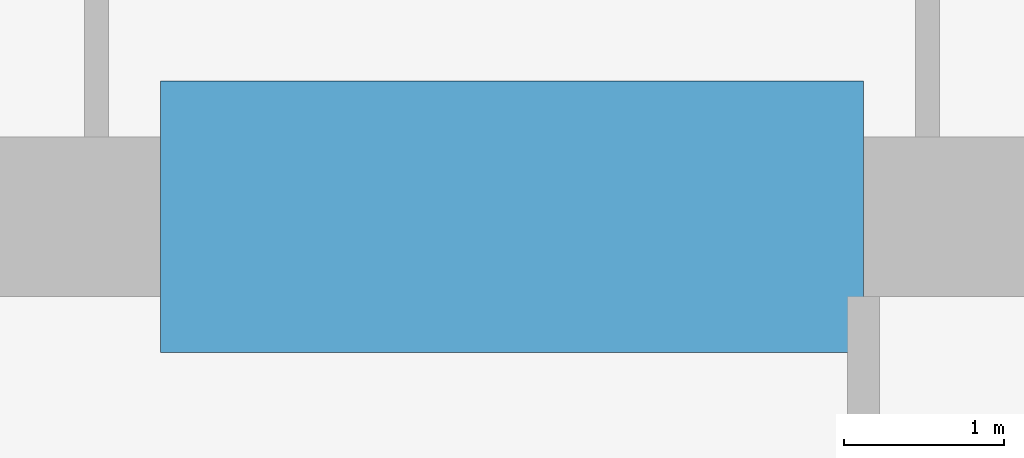
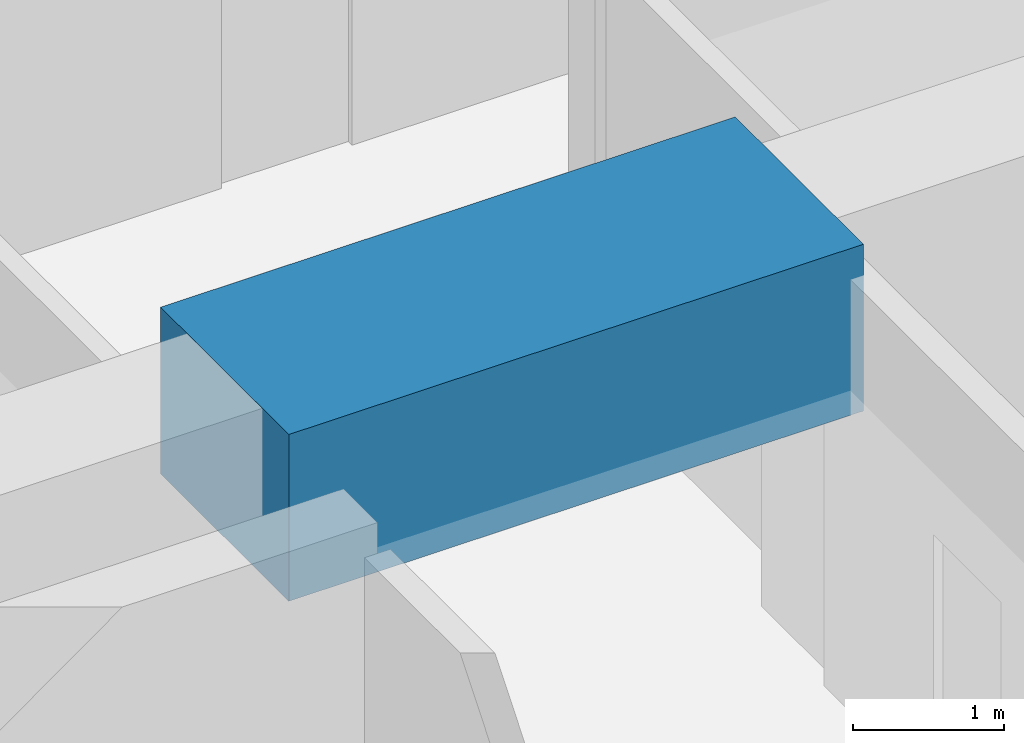
# One storey, part 16 of 38: 1 beam.
"""IFC4 building model written with IfcOpenShell, lengths in metres."""

from ifc_helpers import new_model, si_unit, direction, frame, origin, origin_2d, place, context, subcontext, project, spatial, rectangle, extrude, material, material_profile, profile_set, type_object, element, save


model = new_model("IFC4")

# Units and contexts
model_context = context("Model", 3, precision=1e-05, world=origin(), true_north=direction((0.0, 1.0)))
body_context = subcontext(model_context, "Body", "Model", "MODEL_VIEW")
ifc_project = project(units=[si_unit("LENGTHUNIT", "METRE"), si_unit("AREAUNIT", "SQUARE_METRE"), si_unit("VOLUMEUNIT", "CUBIC_METRE"), si_unit("PLANEANGLEUNIT", "RADIAN"), si_unit("MASSUNIT", "GRAM", prefix="KILO")], contexts=[model_context])

# Site, building, storey
site_placement = place(None, origin())
site = spatial("IfcSite", under=ifc_project, at=site_placement, CompositionType="ELEMENT")
building_placement = place(site_placement, origin())
building = spatial("IfcBuilding", under=site, at=building_placement, Name="Rekha Terrace Tower", CompositionType="ELEMENT")
storey_placement = place(building_placement, frame((0.0, 0.0, 114.050048828125)))
storey = spatial("IfcBuildingStorey", under=building, at=storey_placement, Name="L28", CompositionType="ELEMENT", Elevation=114.050048828125)

# Beam
ifc_material = material(Name="Concrete M70", Category="concrete")
ifc_material_profile = material_profile(ifc_material, rectangle(XDim=1.699951171875, YDim=1.35009765625, at=origin_2d()), Name="RC 1700x1350")
ifc_profile_set = profile_set([ifc_material_profile], Name="Concrete M70")
beam_type = type_object("IfcBeamType", Name="LB2A 1700x1350 diagonally reinforced coupling beam", PredefinedType="LINTEL", material=ifc_profile_set)
beam_placement = place(storey_placement, frame((35.60009765625, 46.199951171875, 3.074951171875), z_axis=(1.0, 0.0, 0.0), x_axis=(0.0, 1.0, 0.0)))
element("IfcBeam", 1, at=beam_placement, inside=storey, type_object=beam_type, Name="Coupling beam LB2A N L28", PredefinedType="LINTEL", context=body_context, shape_type="SweptSolid", body=[
    extrude(rectangle(XDim=1.699951171875, YDim=1.35009765625, at=origin_2d()), origin(), (0.0, 0.0, 1.0), 4.39990234375),
])

save(model, "model.ifc")
